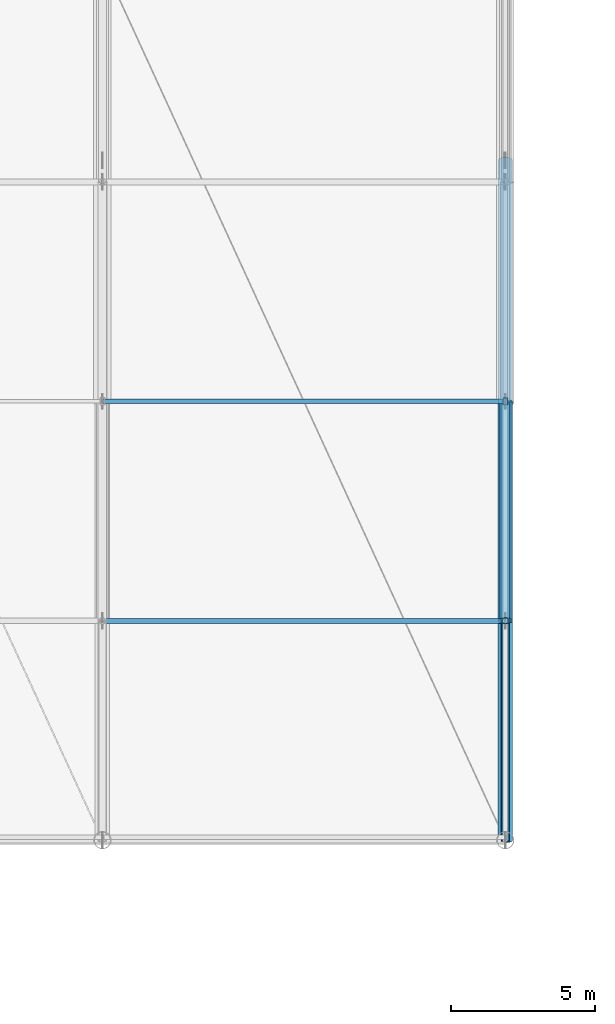
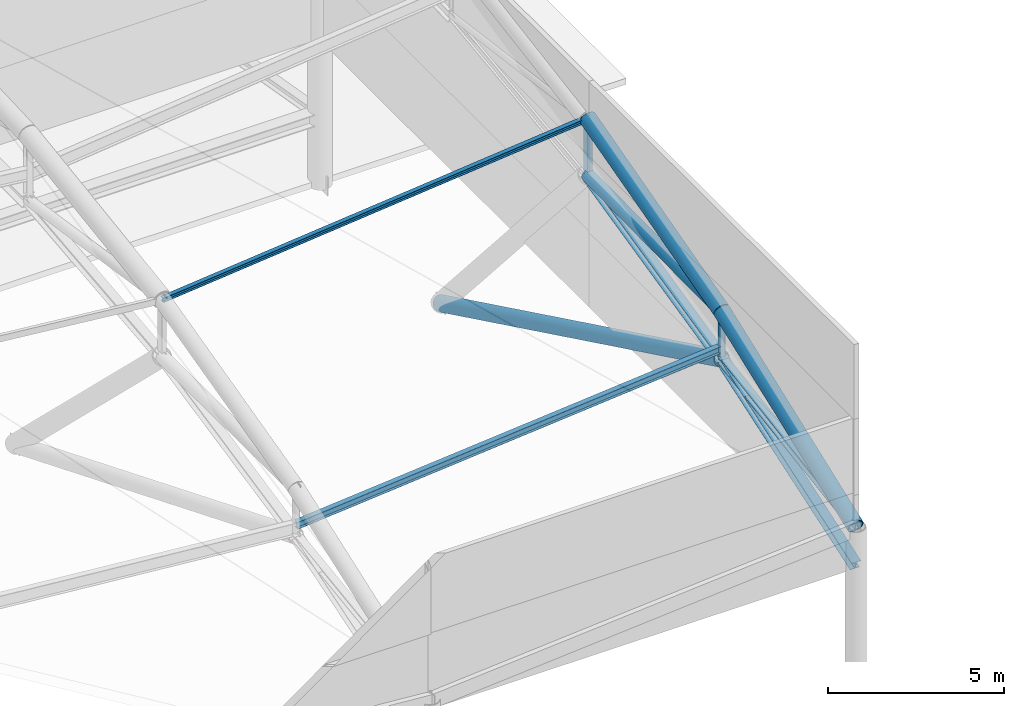
# One storey, part 30 of 113: 11 members.
"""IFC4 building model written with IfcOpenShell, lengths in metres."""

from ifc_helpers import new_model, si_unit, direction, frame, origin, origin_2d, place, context, subcontext, project, spatial, hollow_rectangle, hollow_circle, i_section, extrude, material, material_profile, profile_set, type_object, element, save


model = new_model("IFC4")

# Units and contexts
model_context = context("Model", 3, precision=1e-05, world=origin(), true_north=direction((0.0, 1.0)))
body_context = subcontext(model_context, "Body", "Model", "MODEL_VIEW")
ifc_project = project(units=[si_unit("LENGTHUNIT", "METRE"), si_unit("AREAUNIT", "SQUARE_METRE"), si_unit("VOLUMEUNIT", "CUBIC_METRE"), si_unit("PLANEANGLEUNIT", "RADIAN"), si_unit("MASSUNIT", "GRAM", prefix="KILO")], contexts=[model_context])

# Site, building, storey
site_placement = place(None, origin())
site = spatial("IfcSite", under=ifc_project, at=site_placement, CompositionType="ELEMENT")
building_placement = place(site_placement, origin())
building = spatial("IfcBuilding", under=site, at=building_placement, Name="Linyun Crest Stadium", CompositionType="ELEMENT")
storey_placement = place(building_placement, frame((0.0, 0.0, 26.39990234375)))
storey = spatial("IfcBuildingStorey", under=building, at=storey_placement, Name="L06", CompositionType="ELEMENT", Elevation=26.39990234375)

# Members
ifc_material_1 = material(Name="Steel Q355C", Category="steel")
ifc_material_profile_1 = material_profile(ifc_material_1, i_section(OverallWidth=0.14990234375, OverallDepth=0.14990234375, WebThickness=0.007080078125, FlangeThickness=0.010009765625, at=origin_2d()), Name="HW 150x150")
ifc_profile_set_1 = profile_set([ifc_material_profile_1], Name="Steel Q355C")
member_type_1 = type_object("IfcMemberType", Name="AR01", PredefinedType="USERDEFINED", material=ifc_profile_set_1)
member_1_placement = place(storey_placement, frame((14.0, 76.25, 9.899169921875), z_axis=(0.995017241541, 0.0, 0.099703004149), x_axis=(0.0, 1.0, 0.0)))
element("IfcMember", 1, at=member_1_placement, inside=storey, type_object=member_type_1, Name="Art Nouveau canopy arch rib AR01 V3 471", ObjectType="ARCH RIB", PredefinedType="USERDEFINED", context=body_context, shape_type="SweptSolid", body=[
    extrude(i_section(OverallWidth=0.14990234375, OverallDepth=0.14990234375, WebThickness=0.007080078125, FlangeThickness=0.010009765625, at=origin_2d()), origin(), (0.0, 0.0, 1.0), 14.070068359375),
])
ifc_material_2 = material(Name="Steel Q355B", Category="steel")
ifc_material_profile_2 = material_profile(ifc_material_2, i_section(OverallWidth=0.175048828125, OverallDepth=0.243896484375, WebThickness=0.007080078125, FlangeThickness=0.010986328125, at=origin_2d()), Name="HM 244x175")
ifc_profile_set_2 = profile_set([ifc_material_profile_2], Name="Steel Q355B")
member_type_2 = type_object("IfcMemberType", Name="PR05", PredefinedType="PURLIN", material=ifc_profile_set_2)
member_2_placement = place(storey_placement, frame((14.0, 68.625, 6.692138671875), z_axis=(0.99601922118, 0.0, 0.089138717967), x_axis=(0.0, 1.0, 0.0)))
element("IfcMember", 2, at=member_2_placement, inside=storey, type_object=member_type_2, Name="Roof canopy purlin PR05 V3 469", PredefinedType="PURLIN", context=body_context, shape_type="SweptSolid", body=[
    extrude(i_section(OverallWidth=0.175048828125, OverallDepth=0.243896484375, WebThickness=0.007080078125, FlangeThickness=0.010986328125, at=origin_2d()), origin(), (0.0, 0.0, 1.0), 14.055908203125),
])
ifc_material_3 = material(Name="Steel Q420C", Category="steel")
ifc_material_profile_3 = material_profile(ifc_material_3, hollow_circle(Radius=0.25390625, WallThickness=0.02490234375, at=origin_2d()), Name="CHS 508x25")
ifc_profile_set_3 = profile_set([ifc_material_profile_3], Name="Steel Q420C")
member_type_3 = type_object("IfcMemberType", Name="TC01", PredefinedType="CHORD", material=ifc_profile_set_3)
member_3_placement = place(storey_placement, frame((28.0, 76.25, 11.302001953125), z_axis=(0.0, -0.964911252302, -0.262576227373), x_axis=(1.0, 0.0, 0.0)))
element("IfcMember", 3, at=member_3_placement, inside=storey, type_object=member_type_3, Name="Roof truss top chord TC01 V3 446", PredefinedType="CHORD", context=body_context, shape_type="SweptSolid", body=[
    extrude(hollow_circle(Radius=0.25390625, WallThickness=0.02490234375, at=origin_2d()), origin(), (0.0, 0.0, 1.0), 7.90234375),
])
member_4_placement = place(storey_placement, frame((28.0, 68.625, 9.22705078125), z_axis=(0.0, -0.935736842914, -0.352698966278), x_axis=(1.0, 0.0, 0.0)))
element("IfcMember", 4, at=member_4_placement, inside=storey, type_object=member_type_3, Name="Roof truss top chord TC01 V3 450", PredefinedType="CHORD", context=body_context, shape_type="SweptSolid", body=[
    extrude(hollow_circle(Radius=0.25390625, WallThickness=0.02490234375, at=origin_2d()), origin(), (0.0, 0.0, 1.0), 8.148681640625),
])
member_5_placement = place(storey_placement, frame((28.0, 84.625, -0.21484375), z_axis=(0.0, -0.899366655037, 0.437195173587), x_axis=(1.0, 0.0, 0.0)))
element("IfcMember", 5, at=member_5_placement, inside=storey, type_object=member_type_3, Name="Roof arch forward V-strut TC01 V3 455", PredefinedType="CHORD", context=body_context, shape_type="SweptSolid", body=[
    extrude(hollow_circle(Radius=0.25390625, WallThickness=0.02490234375, at=origin_2d()), origin(), (0.0, 0.0, 1.0), 17.790283203125),
])
ifc_material_4 = material(Name="Steel Q355C", Category="steel")
ifc_material_profile_4 = material_profile(ifc_material_4, i_section(OverallWidth=0.300048828125, OverallDepth=0.300048828125, WebThickness=0.010009765625, FlangeThickness=0.014892578125, at=origin_2d()), Name="HW 300x300")
ifc_profile_set_4 = profile_set([ifc_material_profile_4], Name="Steel Q355C")
member_type_4 = type_object("IfcMemberType", Name="TC03", PredefinedType="CHORD", material=ifc_profile_set_4)
member_6_placement = place(storey_placement, frame((28.0, 76.25, 9.326171875), z_axis=(0.0, -0.97429120452, -0.22529236293), x_axis=(1.0, 0.0, 0.0)))
element("IfcMember", 6, at=member_6_placement, inside=storey, type_object=member_type_4, Name="Roof truss bottom chord TC03 V3 447", PredefinedType="CHORD", context=body_context, shape_type="SweptSolid", body=[
    extrude(i_section(OverallWidth=0.300048828125, OverallDepth=0.300048828125, WebThickness=0.010009765625, FlangeThickness=0.014892578125, at=origin_2d()), origin(), (0.0, 0.0, 1.0), 7.826171875),
])
member_7_placement = place(storey_placement, frame((28.0, 68.625, 7.56298828125), z_axis=(0.0, -0.94792179259, -0.318503179157), x_axis=(1.0, 0.0, 0.0)))
element("IfcMember", 7, at=member_7_placement, inside=storey, type_object=member_type_4, Name="Roof truss bottom chord TC03 V3 451", PredefinedType="CHORD", context=body_context, shape_type="SweptSolid", body=[
    extrude(i_section(OverallWidth=0.300048828125, OverallDepth=0.300048828125, WebThickness=0.010009765625, FlangeThickness=0.014892578125, at=origin_2d()), origin(), (0.0, 0.0, 1.0), 8.0439453125),
])
ifc_material_5 = material(Name="Steel Q420C", Category="steel")
ifc_material_profile_5 = material_profile(ifc_material_5, hollow_circle(Radius=0.202880859375, WallThickness=0.02001953125, at=origin_2d()), Name="CHS 406x20")
ifc_profile_set_5 = profile_set([ifc_material_profile_5], Name="Steel Q420C")
member_type_5 = type_object("IfcMemberType", Name="TD03", PredefinedType="BRACE", material=ifc_profile_set_5)
member_8_placement = place(storey_placement, frame((28.0, 76.25, 9.326171875), z_axis=(0.0, -0.999915517367, -0.012998389474), x_axis=(1.0, 0.0, 0.0)))
element("IfcMember", 8, at=member_8_placement, inside=storey, type_object=member_type_5, Name="Roof truss diagonal TD03 V3 448", PredefinedType="BRACE", context=body_context, shape_type="SweptSolid", body=[
    extrude(hollow_circle(Radius=0.202880859375, WallThickness=0.02001953125, at=origin_2d()), origin(), (0.0, 0.0, 1.0), 7.625732421875),
])
ifc_material_6 = material(Name="Steel Q355C", Category="steel")
ifc_material_profile_6 = material_profile(ifc_material_6, i_section(OverallWidth=0.25, OverallDepth=0.25, WebThickness=0.009033203125, FlangeThickness=0.013916015625, at=origin_2d()), Name="HW 250x250")
ifc_profile_set_6 = profile_set([ifc_material_profile_6], Name="Steel Q355C")
member_type_6 = type_object("IfcMemberType", Name="TD04", PredefinedType="BRACE", material=ifc_profile_set_6)
member_9_placement = place(storey_placement, frame((28.0, 68.625, 7.56298828125), z_axis=(0.0, -0.987642677341, -0.156722499645), x_axis=(1.0, 0.0, 0.0)))
element("IfcMember", 9, at=member_9_placement, inside=storey, type_object=member_type_6, Name="Roof truss diagonal TD04 V3 452", PredefinedType="BRACE", context=body_context, shape_type="SweptSolid", body=[
    extrude(i_section(OverallWidth=0.25, OverallDepth=0.25, WebThickness=0.009033203125, FlangeThickness=0.013916015625, at=origin_2d()), origin(), (0.0, 0.0, 1.0), 7.720458984375),
])
ifc_material_7 = material(Name="Steel Q355C", Category="steel")
ifc_material_profile_7 = material_profile(ifc_material_7, hollow_circle(Radius=0.109619140625, WallThickness=0.011962890625, at=origin_2d()), Name="CHS 219x12")
ifc_profile_set_7 = profile_set([ifc_material_profile_7], Name="Steel Q355C")
member_type_7 = type_object("IfcMemberType", Name="TV01", PredefinedType="STRUT", material=ifc_profile_set_7)
member_10_placement = place(storey_placement, frame((28.0, 68.625, 7.56298828125), z_axis=(0.0, 0.0, 1.0), x_axis=(1.0, 0.0, 0.0)))
element("IfcMember", 10, at=member_10_placement, inside=storey, type_object=member_type_7, Name="Roof vertical strut TV01 V3 453", PredefinedType="STRUT", context=body_context, shape_type="SweptSolid", body=[
    extrude(hollow_circle(Radius=0.109619140625, WallThickness=0.011962890625, at=origin_2d()), origin(), (0.0, 0.0, 1.0), 1.6640625),
])
ifc_material_8 = material(Name="Steel Q355C", Category="steel")
ifc_material_profile_8 = material_profile(ifc_material_8, hollow_rectangle(XDim=0.14990234375, YDim=0.25, WallThickness=0.010009765625, at=origin_2d()), Name="RHS 250x150x10")
ifc_profile_set_8 = profile_set([ifc_material_profile_8], Name="Steel Q355C")
member_type_8 = type_object("IfcMemberType", Name="TV03", PredefinedType="STRUT", material=ifc_profile_set_8)
member_11_placement = place(storey_placement, frame((28.0, 76.25, 9.326171875), z_axis=(0.0, 0.0, 1.0), x_axis=(1.0, 0.0, 0.0)))
element("IfcMember", 11, at=member_11_placement, inside=storey, type_object=member_type_8, Name="Roof vertical strut TV03 V3 449", PredefinedType="STRUT", context=body_context, shape_type="SweptSolid", body=[
    extrude(hollow_rectangle(XDim=0.14990234375, YDim=0.25, WallThickness=0.010009765625, at=origin_2d()), origin(), (0.0, 0.0, 1.0), 1.975830078125),
])

save(model, "model.ifc")
